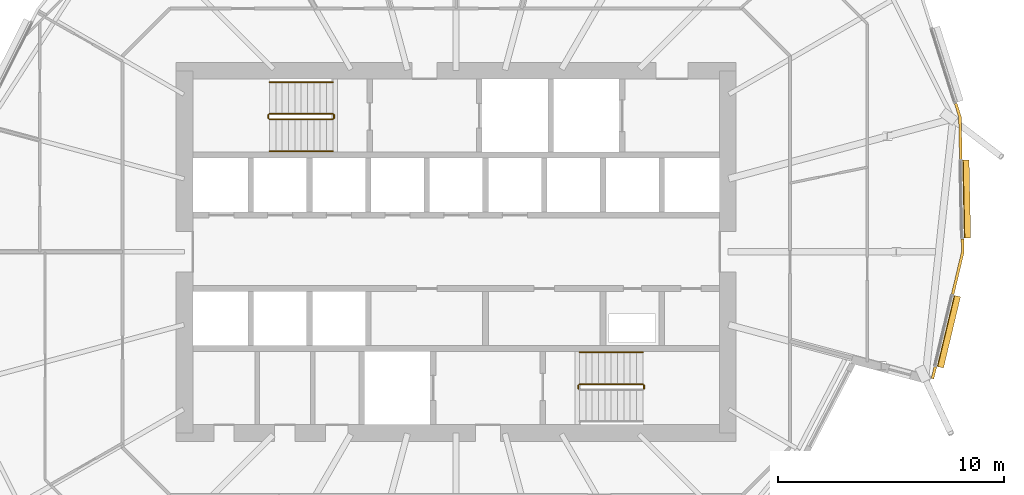
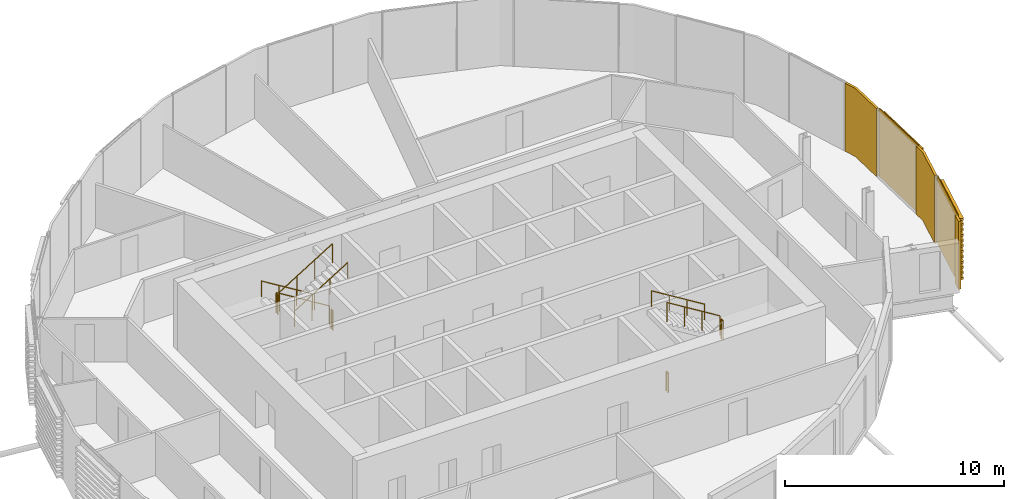
# One storey, part 41 of 42: 10 railings, 5 coverings.
"""IFC4 building model written with IfcOpenShell, lengths in metres."""

from ifc_helpers import new_model, si_unit, direction, frame, origin, origin_2d, place, context, subcontext, project, spatial, polyline, circle, outline, extrude, material, layer, layer_set, material_profile, profile_set, type_object, element, save


model = new_model("IFC4")

# Units and contexts
model_context = context("Model", 3, precision=1e-05, world=origin(), true_north=direction((0.0, 1.0)))
body_context = subcontext(model_context, "Body", "Model", "MODEL_VIEW")
ifc_project = project(units=[si_unit("LENGTHUNIT", "METRE"), si_unit("AREAUNIT", "SQUARE_METRE"), si_unit("VOLUMEUNIT", "CUBIC_METRE"), si_unit("PLANEANGLEUNIT", "RADIAN"), si_unit("MASSUNIT", "GRAM", prefix="KILO")], contexts=[model_context])

# Site, building, storey
site_placement = place(None, origin())
site = spatial("IfcSite", under=ifc_project, at=site_placement, CompositionType="ELEMENT")
building_placement = place(site_placement, origin())
building = spatial("IfcBuilding", under=site, at=building_placement, Name="Rimbun Link Towers", CompositionType="ELEMENT")
storey_placement = place(building_placement, frame((0.0, 0.0, 85.39990234375)))
storey = spatial("IfcBuildingStorey", under=building, at=storey_placement, Name="L20", CompositionType="ELEMENT", Elevation=85.39990234375)

# Coverings
ifc_material_1 = material(Name="Terracotta", Category="masonry")
ifc_layer = layer(ifc_material_1, 0.1201171875)
ifc_layer_set = layer_set([ifc_layer], Name="LINK PIER terracotta cladding 120")
covering_type_1 = type_object("IfcCoveringType", Name="LINK PIER terracotta cladding 120", PredefinedType="CLADDING", material=ifc_layer_set)
covering_1_placement = place(storey_placement, origin())
element("IfcCovering", 1, at=covering_1_placement, inside=storey, type_object=covering_type_1, Name="LINK PIER cladding", PredefinedType="CLADDING", context=body_context, shape_type="SweptSolid", body=[
    extrude(outline(polyline([(52.8662109375, -5.068115234375), (52.74072265625, -5.593505859375), (52.857421875, -5.621337890625), (52.98291015625, -5.09619140625), (52.8662109375, -5.068115234375)])), origin(), (0.0, 0.0, 1.0), 3.800048828125),
])
covering_2_placement = place(storey_placement, origin())
element("IfcCovering", 2, at=covering_2_placement, inside=storey, type_object=covering_type_1, Name="LINK PIER cladding", PredefinedType="CLADDING", context=body_context, shape_type="SweptSolid", body=[
    extrude(outline(polyline([(54.06640625, 0.56982421875), (54.078369140625, 0.0), (53.6318359375, -1.867431640625), (53.74853515625, -1.895263671875), (54.198486328125, -0.012939453125), (54.186279296875, 0.572509765625), (54.06640625, 0.56982421875)])), origin(), (0.0, 0.0, 1.0), 3.800048828125),
])
covering_3_placement = place(storey_placement, origin())
element("IfcCovering", 3, at=covering_3_placement, inside=storey, type_object=covering_type_1, Name="LINK PIER cladding", PredefinedType="CLADDING", context=body_context, shape_type="SweptSolid", body=[
    extrude(outline(polyline([(53.76513671875, 6.5400390625), (53.952880859375, 5.94921875), (53.992431640625, 4.079833984375), (54.1123046875, 4.082275390625), (54.072509765625, 5.96923828125), (53.87939453125, 6.576416015625), (53.76513671875, 6.5400390625)])), origin(), (0.0, 0.0, 1.0), 3.800048828125),
])

# Railings
ifc_material_2 = material(Name="Stainless steel grade 316", Category="steel")
railing_type_1 = type_object("IfcRailingType", Name="Stair guard", PredefinedType="GUARDRAIL", material=ifc_material_2)
railing_1_placement = place(storey_placement, frame((26.300048828125, 6.10009765625, 0.1728515625)))
element("IfcRailing", 4, at=railing_1_placement, inside=storey, type_object=railing_type_1, Name="L20 ST3 stair guard 1", PredefinedType="GUARDRAIL", context=body_context, shape_type="SweptSolid", body=[
    extrude(circle(Radius=0.02392578125, at=origin_2d()), frame((0.0, 0.0, 1.076171875), z_axis=(-0.851089632645, 0.0, 0.525020415988), x_axis=(0.0, -1.0, 0.0)), (0.0, 0.0, 1.0), 3.2900390625),
    extrude(circle(Radius=0.02099609375, at=origin_2d()), origin(), (0.0, 0.0, 1.0), 1.052001953125),
    extrude(circle(Radius=0.02099609375, at=origin_2d()), frame((-0.933349609375, 0.0, 0.57568359375)), (0.0, 0.0, 1.0), 1.052001953125),
    extrude(circle(Radius=0.02099609375, at=origin_2d()), frame((-1.86669921875, 0.0, 1.151611328125)), (0.0, 0.0, 1.0), 1.052001953125),
    extrude(circle(Radius=0.02099609375, at=origin_2d()), frame((-2.800048828125, 0.0, 1.727294921875)), (0.0, 0.0, 1.0), 1.052001953125),
])
railing_2_placement = place(storey_placement, frame((23.449951171875, 6.050048828125, 1.900146484375)))
element("IfcRailing", 5, at=railing_2_placement, inside=storey, type_object=railing_type_1, Name="L20 ST3 stair guard 2", PredefinedType="GUARDRAIL", context=body_context, shape_type="SweptSolid", body=[
    extrude(circle(Radius=0.02392578125, at=origin_2d()), frame((0.0, 0.0, 1.076171875), z_axis=(0.0, -1.0, 0.0), x_axis=(1.0, 0.0, 0.0)), (0.0, 0.0, 1.0), 0.150146484375),
    extrude(circle(Radius=0.02099609375, at=origin_2d()), origin(), (0.0, 0.0, 1.0), 1.052001953125),
    extrude(circle(Radius=0.02099609375, at=origin_2d()), frame((0.0, -0.150146484375, 0.0)), (0.0, 0.0, 1.0), 1.052001953125),
])
railing_3_placement = place(storey_placement, frame((23.5, 5.85009765625, 2.07275390625)))
element("IfcRailing", 6, at=railing_3_placement, inside=storey, type_object=railing_type_1, Name="L20 ST3 stair guard 3", PredefinedType="GUARDRAIL", context=body_context, shape_type="SweptSolid", body=[
    extrude(circle(Radius=0.02392578125, at=origin_2d()), frame((0.0, 0.0, 1.076171875), z_axis=(0.851089632645, 0.0, 0.525020415988), x_axis=(0.0, 1.0, 0.0)), (0.0, 0.0, 1.0), 3.2900390625),
    extrude(circle(Radius=0.02099609375, at=origin_2d()), origin(), (0.0, 0.0, 1.0), 1.052001953125),
    extrude(circle(Radius=0.02099609375, at=origin_2d()), frame((0.933349609375, 0.0, 0.57568359375)), (0.0, 0.0, 1.0), 1.052001953125),
    extrude(circle(Radius=0.02099609375, at=origin_2d()), frame((1.86669921875, 0.0, 1.151611328125)), (0.0, 0.0, 1.0), 1.052001953125),
    extrude(circle(Radius=0.02099609375, at=origin_2d()), frame((2.800048828125, 0.0, 1.727294921875)), (0.0, 0.0, 1.0), 1.052001953125),
])
railing_4_placement = place(storey_placement, frame((26.35009765625, 6.050048828125, 0.0)))
element("IfcRailing", 7, at=railing_4_placement, inside=storey, type_object=railing_type_1, Name="L20 ST3 stair guard 4", PredefinedType="GUARDRAIL", context=body_context, shape_type="SweptSolid", body=[
    extrude(circle(Radius=0.02392578125, at=origin_2d()), frame((0.0, 0.0, 1.076171875), z_axis=(0.0, -1.0, 0.0), x_axis=(1.0, 0.0, 0.0)), (0.0, 0.0, 1.0), 0.150146484375),
    extrude(circle(Radius=0.02099609375, at=origin_2d()), origin(), (0.0, 0.0, 1.0), 1.052001953125),
    extrude(circle(Radius=0.02099609375, at=origin_2d()), frame((0.0, -0.150146484375, 0.0)), (0.0, 0.0, 1.0), 1.052001953125),
])
railing_5_placement = place(storey_placement, frame((40.050048828125, -6.050048828125, 1.900146484375)))
element("IfcRailing", 8, at=railing_5_placement, inside=storey, type_object=railing_type_1, Name="L20 ST4 stair guard 2", PredefinedType="GUARDRAIL", context=body_context, shape_type="SweptSolid", body=[
    extrude(circle(Radius=0.02392578125, at=origin_2d()), frame((0.0, 0.0, 1.076171875), z_axis=(0.0, 1.0, 0.0), x_axis=(-1.0, 0.0, 0.0)), (0.0, 0.0, 1.0), 0.150146484375),
    extrude(circle(Radius=0.02099609375, at=origin_2d()), origin(), (0.0, 0.0, 1.0), 1.052001953125),
    extrude(circle(Radius=0.02099609375, at=origin_2d()), frame((0.0, 0.150146484375, 0.0)), (0.0, 0.0, 1.0), 1.052001953125),
])
railing_6_placement = place(storey_placement, frame((40.0, -5.85009765625, 2.07275390625)))
element("IfcRailing", 9, at=railing_6_placement, inside=storey, type_object=railing_type_1, Name="L20 ST4 stair guard 3", PredefinedType="GUARDRAIL", context=body_context, shape_type="SweptSolid", body=[
    extrude(circle(Radius=0.02392578125, at=origin_2d()), frame((0.0, 0.0, 1.076171875), z_axis=(-0.851089632645, 0.0, 0.525020415988), x_axis=(0.0, -1.0, 0.0)), (0.0, 0.0, 1.0), 3.2900390625),
    extrude(circle(Radius=0.02099609375, at=origin_2d()), origin(), (0.0, 0.0, 1.0), 1.052001953125),
    extrude(circle(Radius=0.02099609375, at=origin_2d()), frame((-0.933349609375, 0.0, 0.57568359375)), (0.0, 0.0, 1.0), 1.052001953125),
    extrude(circle(Radius=0.02099609375, at=origin_2d()), frame((-1.86669921875, 0.0, 1.151611328125)), (0.0, 0.0, 1.0), 1.052001953125),
    extrude(circle(Radius=0.02099609375, at=origin_2d()), frame((-2.800048828125, 0.0, 1.727294921875)), (0.0, 0.0, 1.0), 1.052001953125),
])
railing_7_placement = place(storey_placement, frame((37.14990234375, -6.050048828125, 0.0)))
element("IfcRailing", 10, at=railing_7_placement, inside=storey, type_object=railing_type_1, Name="L20 ST4 stair guard 4", PredefinedType="GUARDRAIL", context=body_context, shape_type="SweptSolid", body=[
    extrude(circle(Radius=0.02392578125, at=origin_2d()), frame((0.0, 0.0, 1.076171875), z_axis=(0.0, 1.0, 0.0), x_axis=(-1.0, 0.0, 0.0)), (0.0, 0.0, 1.0), 0.150146484375),
    extrude(circle(Radius=0.02099609375, at=origin_2d()), origin(), (0.0, 0.0, 1.0), 1.052001953125),
    extrude(circle(Radius=0.02099609375, at=origin_2d()), frame((0.0, 0.150146484375, 0.0)), (0.0, 0.0, 1.0), 1.052001953125),
])
ifc_material_3 = material(Name="Stainless steel grade 316", Category="steel")
railing_type_2 = type_object("IfcRailingType", Name="Stair handrail", PredefinedType="HANDRAIL", material=ifc_material_3)
railing_8_placement = place(storey_placement, frame((26.300048828125, 7.5, 0.1728515625)))
element("IfcRailing", 11, at=railing_8_placement, inside=storey, type_object=railing_type_2, Name="L20 ST3 stair handrail 1", PredefinedType="HANDRAIL", context=body_context, shape_type="SweptSolid", body=[
    extrude(circle(Radius=0.02392578125, at=origin_2d()), frame((0.0, 0.0, 0.8759765625), z_axis=(-0.851089632645, 0.0, 0.525020415988), x_axis=(0.0, -1.0, 0.0)), (0.0, 0.0, 1.0), 3.2900390625),
    extrude(circle(Radius=0.02099609375, at=origin_2d()), origin(), (0.0, 0.0, 1.0), 0.851806640625),
    extrude(circle(Radius=0.02099609375, at=origin_2d()), frame((-0.933349609375, 0.0, 0.57568359375)), (0.0, 0.0, 1.0), 0.851806640625),
    extrude(circle(Radius=0.02099609375, at=origin_2d()), frame((-1.86669921875, 0.0, 1.151611328125)), (0.0, 0.0, 1.0), 0.851806640625),
    extrude(circle(Radius=0.02099609375, at=origin_2d()), frame((-2.800048828125, 0.0, 1.727294921875)), (0.0, 0.0, 1.0), 0.851806640625),
])
railing_9_placement = place(storey_placement, frame((23.5, 4.449951171875, 2.07275390625)))
element("IfcRailing", 12, at=railing_9_placement, inside=storey, type_object=railing_type_2, Name="L20 ST3 stair handrail 2", PredefinedType="HANDRAIL", context=body_context, shape_type="SweptSolid", body=[
    extrude(circle(Radius=0.02392578125, at=origin_2d()), frame((0.0, 0.0, 0.8759765625), z_axis=(0.851089632645, 0.0, 0.525020415988), x_axis=(0.0, 1.0, 0.0)), (0.0, 0.0, 1.0), 3.2900390625),
    extrude(circle(Radius=0.02099609375, at=origin_2d()), origin(), (0.0, 0.0, 1.0), 0.851806640625),
    extrude(circle(Radius=0.02099609375, at=origin_2d()), frame((0.933349609375, 0.0, 0.57568359375)), (0.0, 0.0, 1.0), 0.851806640625),
    extrude(circle(Radius=0.02099609375, at=origin_2d()), frame((1.86669921875, 0.0, 1.151611328125)), (0.0, 0.0, 1.0), 0.851806640625),
    extrude(circle(Radius=0.02099609375, at=origin_2d()), frame((2.800048828125, 0.0, 1.727294921875)), (0.0, 0.0, 1.0), 0.851806640625),
])
railing_10_placement = place(storey_placement, frame((40.0, -4.449951171875, 2.07275390625)))
element("IfcRailing", 13, at=railing_10_placement, inside=storey, type_object=railing_type_2, Name="L20 ST4 stair handrail 2", PredefinedType="HANDRAIL", context=body_context, shape_type="SweptSolid", body=[
    extrude(circle(Radius=0.02392578125, at=origin_2d()), frame((0.0, 0.0, 0.8759765625), z_axis=(-0.851089632645, 0.0, 0.525020415988), x_axis=(0.0, -1.0, 0.0)), (0.0, 0.0, 1.0), 3.2900390625),
    extrude(circle(Radius=0.02099609375, at=origin_2d()), origin(), (0.0, 0.0, 1.0), 0.851806640625),
    extrude(circle(Radius=0.02099609375, at=origin_2d()), frame((-0.933349609375, 0.0, 0.57568359375)), (0.0, 0.0, 1.0), 0.851806640625),
    extrude(circle(Radius=0.02099609375, at=origin_2d()), frame((-1.86669921875, 0.0, 1.151611328125)), (0.0, 0.0, 1.0), 0.851806640625),
    extrude(circle(Radius=0.02099609375, at=origin_2d()), frame((-2.800048828125, 0.0, 1.727294921875)), (0.0, 0.0, 1.0), 0.851806640625),
])

# Coverings
ifc_material_4 = material(Name="Terracotta", Category="masonry")
ifc_material_profile = material_profile(ifc_material_4, outline(polyline([(0.123046875, 0.0), (0.1630859375, 0.0), (0.1630859375, 0.10009765625), (0.423095703125, 0.10009765625), (0.423095703125, 0.219970703125), (0.1630859375, 0.219970703125), (0.1630859375, 0.39990234375), (0.423095703125, 0.39990234375), (0.423095703125, 0.52001953125), (0.1630859375, 0.52001953125), (0.1630859375, 0.699951171875), (0.423095703125, 0.699951171875), (0.423095703125, 0.820068359375), (0.1630859375, 0.820068359375), (0.1630859375, 1.0), (0.423095703125, 1.0), (0.423095703125, 1.1201171875), (0.1630859375, 1.1201171875), (0.1630859375, 1.300048828125), (0.423095703125, 1.300048828125), (0.423095703125, 1.419921875), (0.1630859375, 1.419921875), (0.1630859375, 1.60009765625), (0.423095703125, 1.60009765625), (0.423095703125, 1.719970703125), (0.1630859375, 1.719970703125), (0.1630859375, 1.89990234375), (0.423095703125, 1.89990234375), (0.423095703125, 2.02001953125), (0.1630859375, 2.02001953125), (0.1630859375, 2.199951171875), (0.423095703125, 2.199951171875), (0.423095703125, 2.320068359375), (0.1630859375, 2.320068359375), (0.1630859375, 2.5), (0.423095703125, 2.5), (0.423095703125, 2.6201171875), (0.1630859375, 2.6201171875), (0.1630859375, 2.800048828125), (0.423095703125, 2.800048828125), (0.423095703125, 2.919921875), (0.1630859375, 2.919921875), (0.1630859375, 3.10009765625), (0.423095703125, 3.10009765625), (0.423095703125, 3.219970703125), (0.1630859375, 3.219970703125), (0.1630859375, 3.39990234375), (0.423095703125, 3.39990234375), (0.423095703125, 3.52001953125), (0.1630859375, 3.52001953125), (0.1630859375, 3.800048828125), (0.123046875, 3.800048828125), (0.123046875, 0.0)])), Name="BAGUETTE 120X300")
ifc_profile_set = profile_set([ifc_material_profile], Name="Terracotta")
covering_type_2 = type_object("IfcCoveringType", Name="TERRACOTTA BAGUETTE 120X300 H3800", PredefinedType="CLADDING", material=ifc_profile_set)
covering_4_placement = place(storey_placement, frame((53.624755859375, -1.896484375, 0.0), z_axis=(-0.232566998358, -0.972580377797, 0.0), x_axis=(0.972580377797, -0.232566998358, 0.0)))
element("IfcCovering", 14, at=covering_4_placement, inside=storey, type_object=covering_type_2, Name="TERRACOTTA BAGUETTE", PredefinedType="CLADDING", context=body_context, shape_type="SweptSolid", body=[
    extrude(outline(polyline([(0.123046875, 0.0), (0.1630859375, 0.0), (0.1630859375, 0.10009765625), (0.423095703125, 0.10009765625), (0.423095703125, 0.219970703125), (0.1630859375, 0.219970703125), (0.1630859375, 0.39990234375), (0.423095703125, 0.39990234375), (0.423095703125, 0.52001953125), (0.1630859375, 0.52001953125), (0.1630859375, 0.699951171875), (0.423095703125, 0.699951171875), (0.423095703125, 0.820068359375), (0.1630859375, 0.820068359375), (0.1630859375, 1.0), (0.423095703125, 1.0), (0.423095703125, 1.1201171875), (0.1630859375, 1.1201171875), (0.1630859375, 1.300048828125), (0.423095703125, 1.300048828125), (0.423095703125, 1.419921875), (0.1630859375, 1.419921875), (0.1630859375, 1.60009765625), (0.423095703125, 1.60009765625), (0.423095703125, 1.719970703125), (0.1630859375, 1.719970703125), (0.1630859375, 1.89990234375), (0.423095703125, 1.89990234375), (0.423095703125, 2.02001953125), (0.1630859375, 2.02001953125), (0.1630859375, 2.199951171875), (0.423095703125, 2.199951171875), (0.423095703125, 2.320068359375), (0.1630859375, 2.320068359375), (0.1630859375, 2.5), (0.423095703125, 2.5), (0.423095703125, 2.6201171875), (0.1630859375, 2.6201171875), (0.1630859375, 2.800048828125), (0.423095703125, 2.800048828125), (0.423095703125, 2.919921875), (0.1630859375, 2.919921875), (0.1630859375, 3.10009765625), (0.423095703125, 3.10009765625), (0.423095703125, 3.219970703125), (0.1630859375, 3.219970703125), (0.1630859375, 3.39990234375), (0.423095703125, 3.39990234375), (0.423095703125, 3.52001953125), (0.1630859375, 3.52001953125), (0.1630859375, 3.800048828125), (0.123046875, 3.800048828125), (0.123046875, 0.0)])), origin(), (0.0, 0.0, 1.0), 3.231201171875),
])
covering_5_placement = place(storey_placement, frame((53.992919921875, 4.0498046875, 0.0), z_axis=(0.021083699583, -0.9997777141, 0.0), x_axis=(0.9997777141, 0.021083699583, 0.0)))
element("IfcCovering", 15, at=covering_5_placement, inside=storey, type_object=covering_type_2, Name="TERRACOTTA BAGUETTE", PredefinedType="CLADDING", context=body_context, shape_type="SweptSolid", body=[
    extrude(outline(polyline([(0.123046875, 0.0), (0.1630859375, 0.0), (0.1630859375, 0.10009765625), (0.423095703125, 0.10009765625), (0.423095703125, 0.219970703125), (0.1630859375, 0.219970703125), (0.1630859375, 0.39990234375), (0.423095703125, 0.39990234375), (0.423095703125, 0.52001953125), (0.1630859375, 0.52001953125), (0.1630859375, 0.699951171875), (0.423095703125, 0.699951171875), (0.423095703125, 0.820068359375), (0.1630859375, 0.820068359375), (0.1630859375, 1.0), (0.423095703125, 1.0), (0.423095703125, 1.1201171875), (0.1630859375, 1.1201171875), (0.1630859375, 1.300048828125), (0.423095703125, 1.300048828125), (0.423095703125, 1.419921875), (0.1630859375, 1.419921875), (0.1630859375, 1.60009765625), (0.423095703125, 1.60009765625), (0.423095703125, 1.719970703125), (0.1630859375, 1.719970703125), (0.1630859375, 1.89990234375), (0.423095703125, 1.89990234375), (0.423095703125, 2.02001953125), (0.1630859375, 2.02001953125), (0.1630859375, 2.199951171875), (0.423095703125, 2.199951171875), (0.423095703125, 2.320068359375), (0.1630859375, 2.320068359375), (0.1630859375, 2.5), (0.423095703125, 2.5), (0.423095703125, 2.6201171875), (0.1630859375, 2.6201171875), (0.1630859375, 2.800048828125), (0.423095703125, 2.800048828125), (0.423095703125, 2.919921875), (0.1630859375, 2.919921875), (0.1630859375, 3.10009765625), (0.423095703125, 3.10009765625), (0.423095703125, 3.219970703125), (0.1630859375, 3.219970703125), (0.1630859375, 3.39990234375), (0.423095703125, 3.39990234375), (0.423095703125, 3.52001953125), (0.1630859375, 3.52001953125), (0.1630859375, 3.800048828125), (0.123046875, 3.800048828125), (0.123046875, 0.0)])), origin(), (0.0, 0.0, 1.0), 3.45068359375),
])

save(model, "model.ifc")
